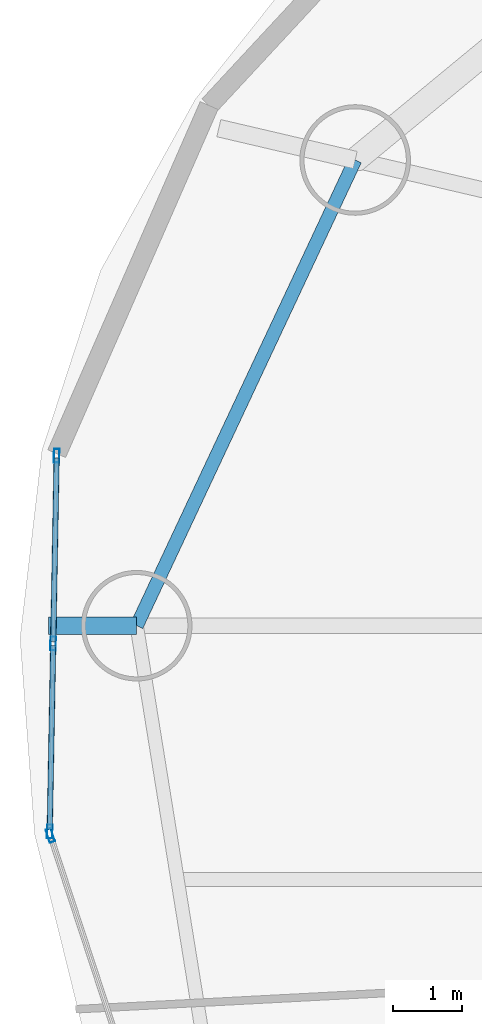
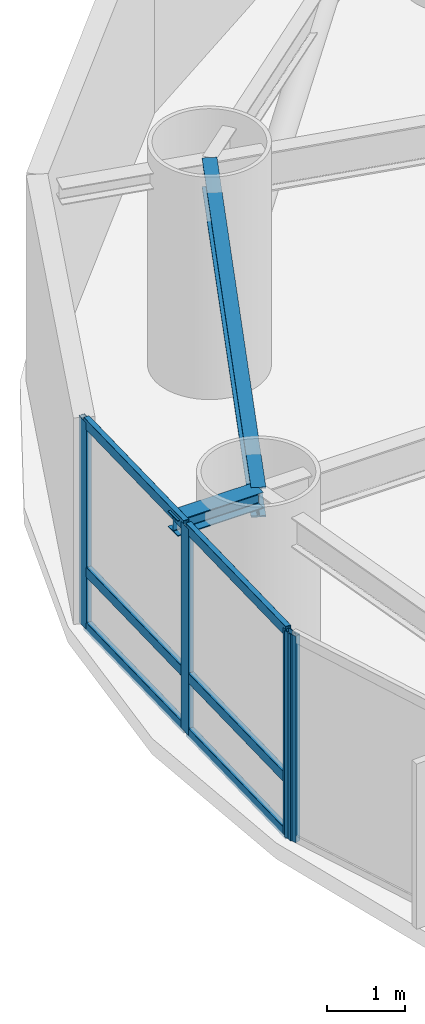
# One storey, part 6 of 24: 10 members, 2 beams, 2 elements without a shape of their own.
"""IFC4 building model written with IfcOpenShell, lengths in metres."""

from ifc_helpers import new_model, si_unit, direction, frame, origin, origin_2d, place, context, subcontext, project, spatial, hollow_rectangle, i_section, extrude, material, layer, layer_set, material_profile, profile_set, type_object, element, aggregate, save


model = new_model("IFC4")

# Units and contexts
model_context = context("Model", 3, precision=1e-05, world=origin(), true_north=direction((0.0, 1.0)))
body_context = subcontext(model_context, "Body", "Model", "MODEL_VIEW")
ifc_project = project(units=[si_unit("LENGTHUNIT", "METRE"), si_unit("AREAUNIT", "SQUARE_METRE"), si_unit("VOLUMEUNIT", "CUBIC_METRE"), si_unit("PLANEANGLEUNIT", "RADIAN"), si_unit("MASSUNIT", "GRAM", prefix="KILO")], contexts=[model_context])

# Site, building, storey
site_placement = place(None, origin())
site = spatial("IfcSite", under=ifc_project, at=site_placement, CompositionType="ELEMENT")
building_placement = place(site_placement, origin())
building = spatial("IfcBuilding", under=site, at=building_placement, Name="Bramvorn Convention Spire", CompositionType="ELEMENT")
storey_placement = place(building_placement, frame((0.0, 0.0, 83.39990234375)))
storey = spatial("IfcBuildingStorey", under=building, at=storey_placement, Name="L19", CompositionType="ELEMENT", Elevation=83.39990234375)

# Beams
ifc_material_1 = material(Name="Steel CSA G40.21 Grade 350 (350W)", Category="steel")
ifc_material_profile_1 = material_profile(ifc_material_1, i_section(OverallWidth=0.25390625, OverallDepth=0.2529296875, WebThickness=0.008544921875, FlangeThickness=0.01416015625, FilletRadius=0.011962890625, at=origin_2d()))
ifc_profile_set_1 = profile_set([ifc_material_profile_1], Name="Steel CSA G40.21 Grade 350 (350W) - W250X73")
beam_type_1 = type_object("IfcBeamType", Name="BM-W250X73", PredefinedType="BEAM", material=ifc_profile_set_1)
beam_1_placement = place(storey_placement, frame((9.480224609375, 30.00830078125, 3.12353515625), z_axis=(-1.0, 0.0, 0.0), x_axis=(0.0, -1.0, 0.0)))
element("IfcBeam", 1, at=beam_1_placement, inside=storey, type_object=beam_type_1, Name="L19 slab-edge cantilever tip beam MC09", PredefinedType="BEAM", context=body_context, shape_type="SweptSolid", body=[
    extrude(i_section(OverallWidth=0.25390625, OverallDepth=0.2529296875, WebThickness=0.008544921875, FlangeThickness=0.01416015625, FilletRadius=0.011962890625, at=origin_2d()), origin(), (0.0, 0.0, 1.0), 1.2734375),
])
ifc_material_profile_2 = material_profile(ifc_material_1, i_section(OverallWidth=0.194091796875, OverallDepth=0.468994140625, WebThickness=0.0126953125, FlangeThickness=0.0205078125, FilletRadius=0.01806640625, at=origin_2d()))
ifc_profile_set_2 = profile_set([ifc_material_profile_2], Name="Steel CSA G40.21 Grade 350 (350W) - W460X106")
beam_type_2 = type_object("IfcBeamType", Name="BM-W460X106", PredefinedType="SPANDREL", material=ifc_profile_set_2)
beam_2_placement = place(storey_placement, frame((12.64111328125, 36.746337890625, 3.015625), z_axis=(-0.424701955478, -0.9053332254, 0.0), x_axis=(0.9053332254, -0.424701955478, 0.0)))
element("IfcBeam", 2, at=beam_2_placement, inside=storey, type_object=beam_type_2, Name="L19 mega-column ring beam 08", PredefinedType="SPANDREL", context=body_context, shape_type="SweptSolid", body=[
    extrude(i_section(OverallWidth=0.194091796875, OverallDepth=0.468994140625, WebThickness=0.0126953125, FlangeThickness=0.0205078125, FilletRadius=0.01806640625, at=origin_2d()), origin(), (0.0, 0.0, 1.0), 7.442626953125),
])

# Curtain wall, members
ifc_material_2 = material(Name="Anodised Bronze Unitised Curtain Wall", Category="aluminium")
ifc_layer = layer(ifc_material_2, 0.179931640625)
ifc_layer_set = layer_set([ifc_layer], Name="Anodised Bronze Unitised Curtain Wall - CW-HTL-FRIT")
curtain_wall_type = type_object("IfcCurtainWallType", Name="CW-HTL-FRIT", PredefinedType="USERDEFINED", material=ifc_layer_set)
curtain_wall_1_placement = place(storey_placement, origin())
curtain_wall_1 = element("IfcCurtainWall", 3, at=curtain_wall_1_placement, inside=storey, type_object=curtain_wall_type, Name="L19 fritted glass curtain wall 13", ObjectType="UNITISED CURTAIN WALL", PredefinedType="USERDEFINED")
ifc_material_3 = material(Name="Anodised Bronze Aluminium 6063-T6", Category="aluminium")
ifc_material_profile_3 = material_profile(ifc_material_3, hollow_rectangle(XDim=0.080078125, YDim=0.199951171875, WallThickness=0.00390625, InnerFilletRadius=0.0009765625, OuterFilletRadius=0.00390625, at=origin_2d()))
ifc_profile_set_3 = profile_set([ifc_material_profile_3], Name="Anodised Bronze Aluminium 6063-T6 - CWM80X200")
member_type_1 = type_object("IfcMemberType", Name="CW-MUL-180", PredefinedType="MULLION", material=ifc_profile_set_3)
member_1_placement = place(storey_placement, frame((8.2216796875, 27.03125, 0.0), z_axis=(0.0, 0.0, 1.0), x_axis=(-0.999828195721, 0.018535885218, 0.0)))
member_1 = element("IfcMember", 4, at=member_1_placement, type_object=member_type_1, Name="CW2 mullion 1", PredefinedType="MULLION", context=body_context, shape_type="SweptSolid", body=[
    extrude(hollow_rectangle(XDim=0.080078125, YDim=0.199951171875, WallThickness=0.00390625, InnerFilletRadius=0.0009765625, OuterFilletRadius=0.00390625, at=origin_2d()), origin(), (0.0, 0.0, 1.0), 3.25),
])
member_2_placement = place(storey_placement, frame((8.27197265625, 29.74951171875, 0.0), z_axis=(0.0, 0.0, 1.0), x_axis=(-0.999828195721, 0.018535885218, 0.0)))
member_2 = element("IfcMember", 5, at=member_2_placement, type_object=member_type_1, Name="CW2 mullion 2", PredefinedType="MULLION", context=body_context, shape_type="SweptSolid", body=[
    extrude(hollow_rectangle(XDim=0.080078125, YDim=0.199951171875, WallThickness=0.00390625, InnerFilletRadius=0.0009765625, OuterFilletRadius=0.00390625, at=origin_2d()), origin(), (0.0, 0.0, 1.0), 3.25),
])
member_3_placement = place(storey_placement, frame((8.322509765625, 32.4677734375, 0.0), z_axis=(0.0, 0.0, 1.0), x_axis=(-0.999828195721, 0.018535885218, 0.0)))
member_3 = element("IfcMember", 6, at=member_3_placement, type_object=member_type_1, Name="CW2 mullion 3", PredefinedType="MULLION", context=body_context, shape_type="SweptSolid", body=[
    extrude(hollow_rectangle(XDim=0.080078125, YDim=0.199951171875, WallThickness=0.00390625, InnerFilletRadius=0.0009765625, OuterFilletRadius=0.00390625, at=origin_2d()), origin(), (0.0, 0.0, 1.0), 3.25),
])

# Curtain wall, member
curtain_wall_2_placement = place(storey_placement, origin())
curtain_wall_2 = element("IfcCurtainWall", 7, at=curtain_wall_2_placement, inside=storey, type_object=curtain_wall_type, Name="L19 fritted glass curtain wall 14", ObjectType="UNITISED CURTAIN WALL", PredefinedType="USERDEFINED")
member_4_placement = place(storey_placement, frame((8.23046875, 26.972900390625, 0.0), z_axis=(0.0, 0.0, 1.0), x_axis=(-0.95012847577, -0.311858749325, 0.0)))
member_4 = element("IfcMember", 8, at=member_4_placement, type_object=member_type_1, Name="CW2 mullion 2", PredefinedType="MULLION", context=body_context, shape_type="SweptSolid", body=[
    extrude(hollow_rectangle(XDim=0.080078125, YDim=0.199951171875, WallThickness=0.00390625, InnerFilletRadius=0.0009765625, OuterFilletRadius=0.00390625, at=origin_2d()), origin(), (0.0, 0.0, 1.0), 3.25),
])
aggregate(curtain_wall_2, [member_4])

# Member
ifc_material_profile_4 = material_profile(ifc_material_3, hollow_rectangle(XDim=0.080078125, YDim=0.159912109375, WallThickness=0.00390625, InnerFilletRadius=0.0009765625, OuterFilletRadius=0.00390625, at=origin_2d()))
ifc_profile_set_4 = profile_set([ifc_material_profile_4], Name="Anodised Bronze Aluminium 6063-T6 - CWT80X160")
member_type_2 = type_object("IfcMemberType", Name="CW-TRN-150", PredefinedType="USERDEFINED", material=ifc_profile_set_4)
member_5_placement = place(storey_placement, frame((8.22216796875, 27.061279296875, 0.030029296875), z_axis=(0.018549342866, 0.999827946138, 0.0), x_axis=(-0.999827946138, 0.018549342866, 0.0)))
member_5 = element("IfcMember", 9, at=member_5_placement, type_object=member_type_2, Name="CW2 transom 1.1", ObjectType="TRANSOM", PredefinedType="USERDEFINED", context=body_context, shape_type="SweptSolid", body=[
    extrude(hollow_rectangle(XDim=0.080078125, YDim=0.159912109375, WallThickness=0.00390625, InnerFilletRadius=0.0009765625, OuterFilletRadius=0.00390625, at=origin_2d()), origin(), (0.0, 0.0, 1.0), 2.65869140625),
])

member_6_placement = place(storey_placement, frame((8.22216796875, 27.061279296875, 0.900146484375), z_axis=(0.018549342866, 0.999827946138, 0.0), x_axis=(-0.999827946138, 0.018549342866, 0.0)))
member_6 = element("IfcMember", 10, at=member_6_placement, type_object=member_type_2, Name="CW2 transom 1.2", ObjectType="TRANSOM", PredefinedType="USERDEFINED", context=body_context, shape_type="SweptSolid", body=[
    extrude(hollow_rectangle(XDim=0.080078125, YDim=0.159912109375, WallThickness=0.00390625, InnerFilletRadius=0.0009765625, OuterFilletRadius=0.00390625, at=origin_2d()), origin(), (0.0, 0.0, 1.0), 2.65869140625),
])

member_7_placement = place(storey_placement, frame((8.22216796875, 27.061279296875, 3.22021484375), z_axis=(0.018549342866, 0.999827946138, 0.0), x_axis=(-0.999827946138, 0.018549342866, 0.0)))
member_7 = element("IfcMember", 11, at=member_7_placement, type_object=member_type_2, Name="CW2 transom 1.3", ObjectType="TRANSOM", PredefinedType="USERDEFINED", context=body_context, shape_type="SweptSolid", body=[
    extrude(hollow_rectangle(XDim=0.080078125, YDim=0.159912109375, WallThickness=0.00390625, InnerFilletRadius=0.0009765625, OuterFilletRadius=0.00390625, at=origin_2d()), origin(), (0.0, 0.0, 1.0), 2.65869140625),
])

member_8_placement = place(storey_placement, frame((8.272705078125, 29.779541015625, 0.030029296875), z_axis=(0.018457545798, 0.999829644991, 0.0), x_axis=(-0.999829644991, 0.018457545798, 0.0)))
member_8 = element("IfcMember", 12, at=member_8_placement, type_object=member_type_2, Name="CW2 transom 2.1", ObjectType="TRANSOM", PredefinedType="USERDEFINED", context=body_context, shape_type="SweptSolid", body=[
    extrude(hollow_rectangle(XDim=0.080078125, YDim=0.159912109375, WallThickness=0.00390625, InnerFilletRadius=0.0009765625, OuterFilletRadius=0.00390625, at=origin_2d()), origin(), (0.0, 0.0, 1.0), 2.65869140625),
])

member_9_placement = place(storey_placement, frame((8.272705078125, 29.779541015625, 0.900146484375), z_axis=(0.018457545798, 0.999829644991, 0.0), x_axis=(-0.999829644991, 0.018457545798, 0.0)))
member_9 = element("IfcMember", 13, at=member_9_placement, type_object=member_type_2, Name="CW2 transom 2.2", ObjectType="TRANSOM", PredefinedType="USERDEFINED", context=body_context, shape_type="SweptSolid", body=[
    extrude(hollow_rectangle(XDim=0.080078125, YDim=0.159912109375, WallThickness=0.00390625, InnerFilletRadius=0.0009765625, OuterFilletRadius=0.00390625, at=origin_2d()), origin(), (0.0, 0.0, 1.0), 2.65869140625),
])

member_10_placement = place(storey_placement, frame((8.272705078125, 29.779541015625, 3.22021484375), z_axis=(0.018457545798, 0.999829644991, 0.0), x_axis=(-0.999829644991, 0.018457545798, 0.0)))
member_10 = element("IfcMember", 14, at=member_10_placement, type_object=member_type_2, Name="CW2 transom 2.3", ObjectType="TRANSOM", PredefinedType="USERDEFINED", context=body_context, shape_type="SweptSolid", body=[
    extrude(hollow_rectangle(XDim=0.080078125, YDim=0.159912109375, WallThickness=0.00390625, InnerFilletRadius=0.0009765625, OuterFilletRadius=0.00390625, at=origin_2d()), origin(), (0.0, 0.0, 1.0), 2.65869140625),
])

aggregate(curtain_wall_1, [member_1, member_2, member_3, member_5, member_6, member_7, member_8, member_9, member_10])

save(model, "model.ifc")
